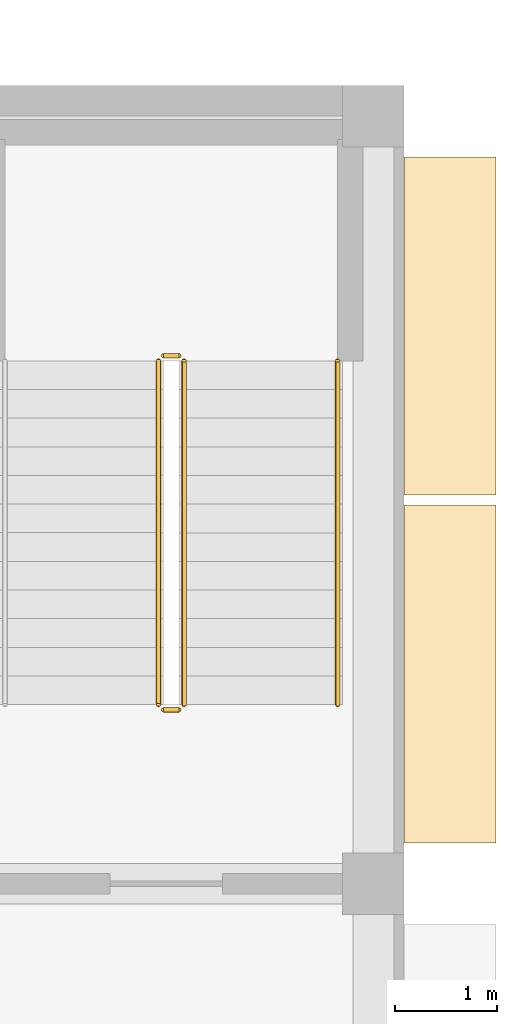
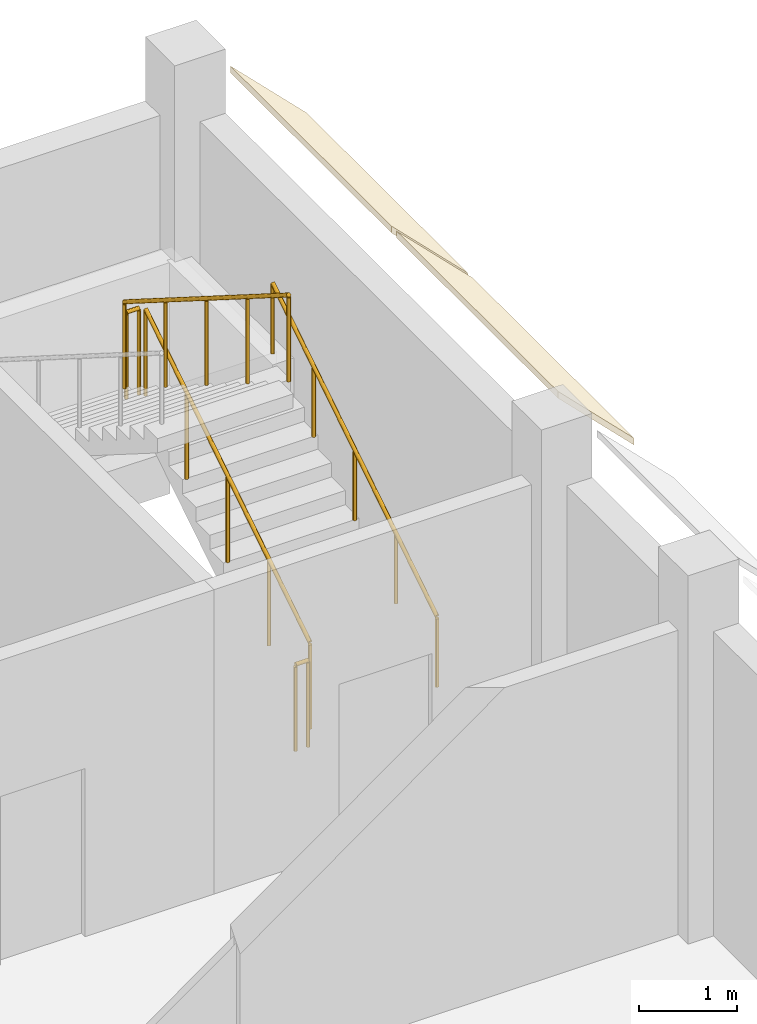
# One storey, part 38 of 38: 5 railings, 2 coverings.
"""IFC4 building model written with IfcOpenShell, lengths in metres."""

from ifc_helpers import new_model, si_unit, direction, frame, origin, origin_2d, place, context, subcontext, project, spatial, polyline, circle, outline, extrude, material, layer, layer_set, type_object, element, save


model = new_model("IFC4")

# Units and contexts
model_context = context("Model", 3, precision=1e-05, world=origin(), true_north=direction((0.0, 1.0)))
body_context = subcontext(model_context, "Body", "Model", "MODEL_VIEW")
ifc_project = project(units=[si_unit("LENGTHUNIT", "METRE"), si_unit("AREAUNIT", "SQUARE_METRE"), si_unit("VOLUMEUNIT", "CUBIC_METRE"), si_unit("PLANEANGLEUNIT", "RADIAN"), si_unit("MASSUNIT", "GRAM", prefix="KILO")], contexts=[model_context])

# Site, building, storey
site_placement = place(None, origin())
site = spatial("IfcSite", under=ifc_project, at=site_placement, CompositionType="ELEMENT")
building_placement = place(site_placement, origin())
building = spatial("IfcBuilding", under=site, at=building_placement, Name="Frailejon Research Tower", CompositionType="ELEMENT")
storey_placement = place(building_placement, frame((0.0, 0.0, 5.60009765625)))
storey = spatial("IfcBuildingStorey", under=building, at=storey_placement, Name="L01", CompositionType="ELEMENT", Elevation=5.60009765625)

# Railings
ifc_material_1 = material(Name="Galvanised steel balustrade", Category="steel")
railing_type_1 = type_object("IfcRailingType", Name="HC stair guard 1100", PredefinedType="GUARDRAIL", material=ifc_material_1)
railing_1_placement = place(storey_placement, frame((99.35009765625, 14.5, 0.1767578125)))
element("IfcRailing", 1, at=railing_1_placement, inside=storey, type_object=railing_type_1, Name="L01 HS-B stair guard 1", PredefinedType="GUARDRAIL", context=body_context, shape_type="SweptSolid", body=[
    extrude(circle(Radius=0.02392578125, at=origin_2d()), frame((0.0, 0.0, 1.076171875), z_axis=(0.0, 0.845389635667, 0.534150132366), x_axis=(-1.0, 0.0, 0.0)), (0.0, 0.0, 1.0), 3.974609375),
    extrude(circle(Radius=0.02099609375, at=origin_2d()), origin(), (0.0, 0.0, 1.0), 1.052001953125),
    extrude(circle(Radius=0.02099609375, at=origin_2d()), frame((0.0, 0.840087890625, 0.53076171875)), (0.0, 0.0, 1.0), 1.052001953125),
    extrude(circle(Radius=0.02099609375, at=origin_2d()), frame((0.0, 1.68017578125, 1.0615234375)), (0.0, 0.0, 1.0), 1.052001953125),
    extrude(circle(Radius=0.02099609375, at=origin_2d()), frame((0.0, 2.52001953125, 1.59228515625)), (0.0, 0.0, 1.0), 1.052001953125),
    extrude(circle(Radius=0.02099609375, at=origin_2d()), frame((0.0, 3.360107421875, 2.123046875)), (0.0, 0.0, 1.0), 1.052001953125),
])
railing_2_placement = place(storey_placement, frame((99.300048828125, 17.909912109375, 2.2998046875)))
element("IfcRailing", 2, at=railing_2_placement, inside=storey, type_object=railing_type_1, Name="L01 HS-B stair guard 2", PredefinedType="GUARDRAIL", context=body_context, shape_type="SweptSolid", body=[
    extrude(circle(Radius=0.02392578125, at=origin_2d()), frame((0.0, 0.0, 1.076171875), z_axis=(-1.0, 0.0, 0.0), x_axis=(0.0, -1.0, 0.0)), (0.0, 0.0, 1.0), 0.150146484375),
    extrude(circle(Radius=0.02099609375, at=origin_2d()), origin(), (0.0, 0.0, 1.0), 1.052001953125),
    extrude(circle(Radius=0.02099609375, at=origin_2d()), frame((-0.150146484375, 0.0, 0.0)), (0.0, 0.0, 1.0), 1.052001953125),
])
railing_3_placement = place(storey_placement, frame((99.10009765625, 17.860107421875, 2.476806640625)))
element("IfcRailing", 3, at=railing_3_placement, inside=storey, type_object=railing_type_1, Name="L01 HS-B stair guard 3", PredefinedType="GUARDRAIL", context=body_context, shape_type="SweptSolid", body=[
    extrude(circle(Radius=0.02392578125, at=origin_2d()), frame((0.0, 0.0, 1.076171875), z_axis=(0.0, -0.845389635667, 0.534150132366), x_axis=(1.0, 0.0, 0.0)), (0.0, 0.0, 1.0), 3.974609375),
    extrude(circle(Radius=0.02099609375, at=origin_2d()), origin(), (0.0, 0.0, 1.0), 1.052001953125),
    extrude(circle(Radius=0.02099609375, at=origin_2d()), frame((0.0, -0.840087890625, 0.53076171875)), (0.0, 0.0, 1.0), 1.052001953125),
    extrude(circle(Radius=0.02099609375, at=origin_2d()), frame((0.0, -1.68017578125, 1.0615234375)), (0.0, 0.0, 1.0), 1.052001953125),
    extrude(circle(Radius=0.02099609375, at=origin_2d()), frame((0.0, -2.52001953125, 1.59228515625)), (0.0, 0.0, 1.0), 1.052001953125),
    extrude(circle(Radius=0.02099609375, at=origin_2d()), frame((0.0, -3.360107421875, 2.123046875)), (0.0, 0.0, 1.0), 1.052001953125),
])
railing_4_placement = place(storey_placement, frame((99.300048828125, 14.449951171875, 0.0)))
element("IfcRailing", 4, at=railing_4_placement, inside=storey, type_object=railing_type_1, Name="L01 HS-B stair guard 4", PredefinedType="GUARDRAIL", context=body_context, shape_type="SweptSolid", body=[
    extrude(circle(Radius=0.02392578125, at=origin_2d()), frame((0.0, 0.0, 1.076171875), z_axis=(-1.0, 0.0, 0.0), x_axis=(0.0, -1.0, 0.0)), (0.0, 0.0, 1.0), 0.150146484375),
    extrude(circle(Radius=0.02099609375, at=origin_2d()), origin(), (0.0, 0.0, 1.0), 1.052001953125),
    extrude(circle(Radius=0.02099609375, at=origin_2d()), frame((-0.150146484375, 0.0, 0.0)), (0.0, 0.0, 1.0), 1.052001953125),
])
ifc_material_2 = material(Name="Stainless steel handrail", Category="steel")
railing_type_2 = type_object("IfcRailingType", Name="HC stair handrail", PredefinedType="HANDRAIL", material=ifc_material_2)
railing_5_placement = place(storey_placement, frame((100.85009765625, 14.5, 0.1767578125)))
element("IfcRailing", 5, at=railing_5_placement, inside=storey, type_object=railing_type_2, Name="L01 HS-B stair handrail 1", PredefinedType="HANDRAIL", context=body_context, shape_type="SweptSolid", body=[
    extrude(circle(Radius=0.02392578125, at=origin_2d()), frame((0.0, 0.0, 0.8759765625), z_axis=(0.0, 0.845389635667, 0.534150132366), x_axis=(-1.0, 0.0, 0.0)), (0.0, 0.0, 1.0), 3.974609375),
    extrude(circle(Radius=0.02099609375, at=origin_2d()), origin(), (0.0, 0.0, 1.0), 0.851806640625),
    extrude(circle(Radius=0.02099609375, at=origin_2d()), frame((0.0, 0.840087890625, 0.53076171875)), (0.0, 0.0, 1.0), 0.851806640625),
    extrude(circle(Radius=0.02099609375, at=origin_2d()), frame((0.0, 1.68017578125, 1.0615234375)), (0.0, 0.0, 1.0), 0.851806640625),
    extrude(circle(Radius=0.02099609375, at=origin_2d()), frame((0.0, 2.52001953125, 1.59228515625)), (0.0, 0.0, 1.0), 0.851806640625),
    extrude(circle(Radius=0.02099609375, at=origin_2d()), frame((0.0, 3.360107421875, 2.123046875)), (0.0, 0.0, 1.0), 0.851806640625),
])

# Coverings
ifc_material_3 = material(Name="Precast concrete C50/60", Category="concrete")
ifc_layer = layer(ifc_material_3, 0.06005859375)
ifc_layer_set = layer_set([ifc_layer], Name="HC visor depth 900")
covering_type = type_object("IfcCoveringType", Name="HC visor depth 900", PredefinedType="CLADDING", material=ifc_layer_set)
for number, where, z_axis, x_axis, name in (
    (6, (101.5, 16.449951171875, 4.449951171875), (0.0, -1.0, 0.0), (1.0, 0.0, 0.0), "HC visor L01"),
    (7, (101.5, 19.85009765625, 4.449951171875), (0.0, -1.0, 0.0), (1.0, 0.0, 0.0), "HC visor L01"),
):
    element("IfcCovering", number, at=place(storey_placement, frame(where, z_axis=z_axis, x_axis=x_axis)), inside=storey, type_object=covering_type, Name=name, PredefinedType="CLADDING", context=body_context, shape_type="SweptSolid", body=[
        extrude(outline(polyline([(0.0, -0.0849609375), (0.89990234375, -0.98486328125), (0.89990234375, -0.89990234375), (0.0, 0.0), (0.0, -0.0849609375)])), origin(), (0.0, 0.0, 1.0), 3.300048828125),
    ])

save(model, "model.ifc")
